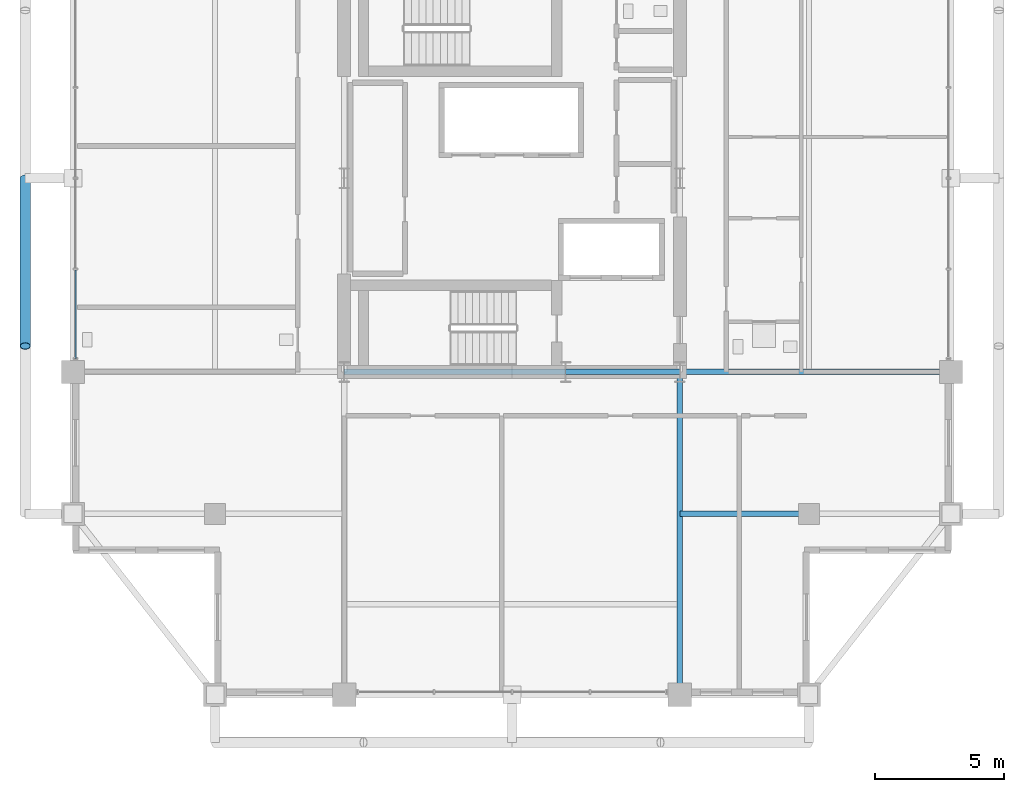
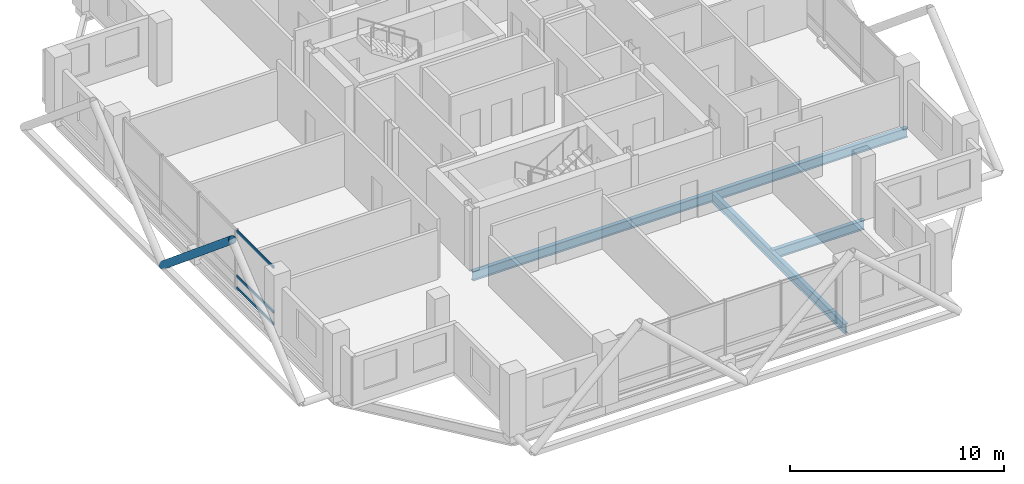
# One storey, part 7 of 24: 5 beams, 4 members, 1 element without a shape of its own.
"""IFC4 building model written with IfcOpenShell, lengths in metres."""

from ifc_helpers import new_model, si_unit, direction, frame, origin, origin_2d, place, context, subcontext, project, spatial, hollow_rectangle, hollow_circle, i_section, extrude, material, layer, layer_set, material_profile, profile_set, type_object, element, aggregate, save


model = new_model("IFC4")

# Units and contexts
model_context = context("Model", 3, precision=1e-05, world=origin(), true_north=direction((0.0, 1.0)))
body_context = subcontext(model_context, "Body", "Model", "MODEL_VIEW")
ifc_project = project(units=[si_unit("LENGTHUNIT", "METRE"), si_unit("AREAUNIT", "SQUARE_METRE"), si_unit("VOLUMEUNIT", "CUBIC_METRE"), si_unit("PLANEANGLEUNIT", "RADIAN"), si_unit("MASSUNIT", "GRAM", prefix="KILO")], contexts=[model_context])

# Site, building, storey
site_placement = place(None, origin())
site = spatial("IfcSite", under=ifc_project, at=site_placement, CompositionType="ELEMENT")
building_placement = place(site_placement, origin())
building = spatial("IfcBuilding", under=site, at=building_placement, Name="Barlavira Tower and Art Museum", CompositionType="ELEMENT")
storey_placement = place(building_placement, frame((0.0, 0.0, 283.5)))
storey = spatial("IfcBuildingStorey", under=building, at=storey_placement, Name="L74", CompositionType="ELEMENT", Elevation=283.5)

# Curtain wall, members
ifc_material_1 = material(Name="Low-iron coastal laminated glass", Category="glass")
ifc_layer = layer(ifc_material_1, 0.2099609375, Name="Low-iron coastal laminated glass")
ifc_layer_set = layer_set([ifc_layer], Name="Low-iron coastal laminated glass")
curtain_wall_type = type_object("IfcCurtainWallType", Name="Pale-Metal Unitised Curtain Wall Zone 4", PredefinedType="NOTDEFINED", material=ifc_layer_set)
curtain_wall_placement = place(storey_placement, origin())
curtain_wall = element("IfcCurtainWall", 1, at=curtain_wall_placement, inside=storey, type_object=curtain_wall_type, Name="L74 Curtain Wall CW4-L74-W-B3", PredefinedType="NOTDEFINED")
ifc_material_2 = material(Name="Pale anodised aluminium", Category="aluminium")
ifc_material_profile_1 = material_profile(ifc_material_2, hollow_rectangle(XDim=0.06494140625, YDim=0.139892578125, WallThickness=0.00390625, at=origin_2d()), Name="ALU-TRAN 65x140x4")
ifc_profile_set_1 = profile_set([ifc_material_profile_1], Name="Pale anodised aluminium")
member_type_1 = type_object("IfcMemberType", Name="Curtain Wall Pale-Metal Transom 65x140", PredefinedType="USERDEFINED", material=ifc_profile_set_1)
member_1_placement = place(storey_placement, frame((-16.89990234375, -3.56005859375, 0.070068359375), z_axis=(0.0, -1.0, 0.0), x_axis=(1.0, 0.0, 0.0)))
member_1 = element("IfcMember", 2, at=member_1_placement, type_object=member_type_1, Name="CW4-L74-W-B3 Transom 3.1", ObjectType="TRANSOM", PredefinedType="USERDEFINED", context=body_context, shape_type="SweptSolid", body=[
    extrude(hollow_rectangle(XDim=0.06494140625, YDim=0.139892578125, WallThickness=0.00390625, at=origin_2d()), origin(), (0.0, 0.0, 1.0), 3.425048828125),
])
member_2_placement = place(storey_placement, frame((-16.89990234375, -3.56005859375, 0.743896484375), z_axis=(0.0, -1.0, 0.0), x_axis=(1.0, 0.0, 0.0)))
member_2 = element("IfcMember", 3, at=member_2_placement, type_object=member_type_1, Name="CW4-L74-W-B3 Transom 3.2", ObjectType="TRANSOM", PredefinedType="USERDEFINED", context=body_context, shape_type="SweptSolid", body=[
    extrude(hollow_rectangle(XDim=0.06494140625, YDim=0.139892578125, WallThickness=0.00390625, at=origin_2d()), origin(), (0.0, 0.0, 1.0), 3.425048828125),
])
member_3_placement = place(storey_placement, frame((-16.89990234375, -3.56005859375, 3.31005859375), z_axis=(0.0, -1.0, 0.0), x_axis=(1.0, 0.0, 0.0)))
member_3 = element("IfcMember", 4, at=member_3_placement, type_object=member_type_1, Name="CW4-L74-W-B3 Transom 3.3", ObjectType="TRANSOM", PredefinedType="USERDEFINED", context=body_context, shape_type="SweptSolid", body=[
    extrude(hollow_rectangle(XDim=0.06494140625, YDim=0.139892578125, WallThickness=0.00390625, at=origin_2d()), origin(), (0.0, 0.0, 1.0), 3.425048828125),
])
aggregate(curtain_wall, [member_1, member_2, member_3])

# Member
ifc_material_3 = material(Name="Steel S355", Category="steel")
ifc_material_profile_2 = material_profile(ifc_material_3, hollow_circle(Radius=0.203125, WallThickness=0.01611328125, at=origin_2d()), Name="CHS 406.4x16.0")
ifc_profile_set_2 = profile_set([ifc_material_profile_2], Name="Steel S355")
member_type_2 = type_object("IfcMemberType", Name="Pale-Metal Exoskeleton Diagrid Tube CHS 406x16 Steel S355", PredefinedType="BRACE", material=ifc_profile_set_2)
member_4_placement = place(storey_placement, frame((-18.85009765625, 0.0, -0.1201171875), z_axis=(0.0, -0.76918185268, 0.639029950399), x_axis=(1.0, 0.0, 0.0)))
element("IfcMember", 5, at=member_4_placement, inside=storey, type_object=member_type_2, Name="L74 Exoskeleton Diagrid Tube W", PredefinedType="BRACE", context=body_context, shape_type="SweptSolid", body=[
    extrude(hollow_circle(Radius=0.203125, WallThickness=0.01611328125, at=origin_2d()), origin(), (0.0, 0.0, 1.0), 8.450439453125),
])

# Beams
ifc_material_profile_3 = material_profile(ifc_material_3, i_section(OverallWidth=0.2109375, OverallDepth=0.5390625, WebThickness=0.01171875, FlangeThickness=0.018798828125, at=origin_2d()), Name="W530x109.0")
ifc_profile_set_3 = profile_set([ifc_material_profile_3], Name="Steel S355")
beam_type = type_object("IfcBeamType", Name="Zone 3-4 Primary Floor Girder W530x109 Steel S355", PredefinedType="BEAM", material=ifc_profile_set_3)
beam_1_placement = place(storey_placement, frame((-6.5, -7.5, -0.489501953125), z_axis=(1.0, 0.0, 0.0), x_axis=(0.0, 1.0, 0.0)))
element("IfcBeam", 6, at=beam_1_placement, inside=storey, type_object=beam_type, Name="L74 Girder C-S1", PredefinedType="BEAM", context=body_context, shape_type="SweptSolid", body=[
    extrude(i_section(OverallWidth=0.2109375, OverallDepth=0.5390625, WebThickness=0.01171875, FlangeThickness=0.018798828125, at=origin_2d()), origin(), (0.0, 0.0, 1.0), 8.580078125),
])
beam_2_placement = place(storey_placement, frame((2.080078125, -7.5, -0.489501953125), z_axis=(1.0, 0.0, 0.0), x_axis=(0.0, 1.0, 0.0)))
element("IfcBeam", 7, at=beam_2_placement, inside=storey, type_object=beam_type, Name="L74 Girder C-S2", PredefinedType="BEAM", context=body_context, shape_type="SweptSolid", body=[
    extrude(i_section(OverallWidth=0.2109375, OverallDepth=0.5390625, WebThickness=0.01171875, FlangeThickness=0.018798828125, at=origin_2d()), origin(), (0.0, 0.0, 1.0), 4.419921875),
])
beam_3_placement = place(storey_placement, frame((6.5, -20.0, -0.489501953125), z_axis=(0.0, 1.0, 0.0), x_axis=(-1.0, 0.0, 0.0)))
element("IfcBeam", 8, at=beam_3_placement, inside=storey, type_object=beam_type, Name="L74 Girder R-S2", PredefinedType="BEAM", context=body_context, shape_type="SweptSolid", body=[
    extrude(i_section(OverallWidth=0.2109375, OverallDepth=0.5390625, WebThickness=0.01171875, FlangeThickness=0.018798828125, at=origin_2d()), origin(), (0.0, 0.0, 1.0), 12.5),
])
beam_4_placement = place(storey_placement, frame((6.5, -7.5, -0.489501953125), z_axis=(1.0, 0.0, 0.0), x_axis=(0.0, 1.0, 0.0)))
element("IfcBeam", 9, at=beam_4_placement, inside=storey, type_object=beam_type, Name="L74 Girder R-E1", PredefinedType="BEAM", context=body_context, shape_type="SweptSolid", body=[
    extrude(i_section(OverallWidth=0.2109375, OverallDepth=0.5390625, WebThickness=0.01171875, FlangeThickness=0.018798828125, at=origin_2d()), origin(), (0.0, 0.0, 1.0), 10.5),
])
beam_5_placement = place(storey_placement, frame((6.5, -13.0, -0.489501953125), z_axis=(1.0, 0.0, 0.0), x_axis=(0.0, 1.0, 0.0)))
element("IfcBeam", 10, at=beam_5_placement, inside=storey, type_object=beam_type, Name="L74 Girder I-S3", PredefinedType="BEAM", context=body_context, shape_type="SweptSolid", body=[
    extrude(i_section(OverallWidth=0.2109375, OverallDepth=0.5390625, WebThickness=0.01171875, FlangeThickness=0.018798828125, at=origin_2d()), origin(), (0.0, 0.0, 1.0), 5.0),
])

save(model, "model.ifc")
